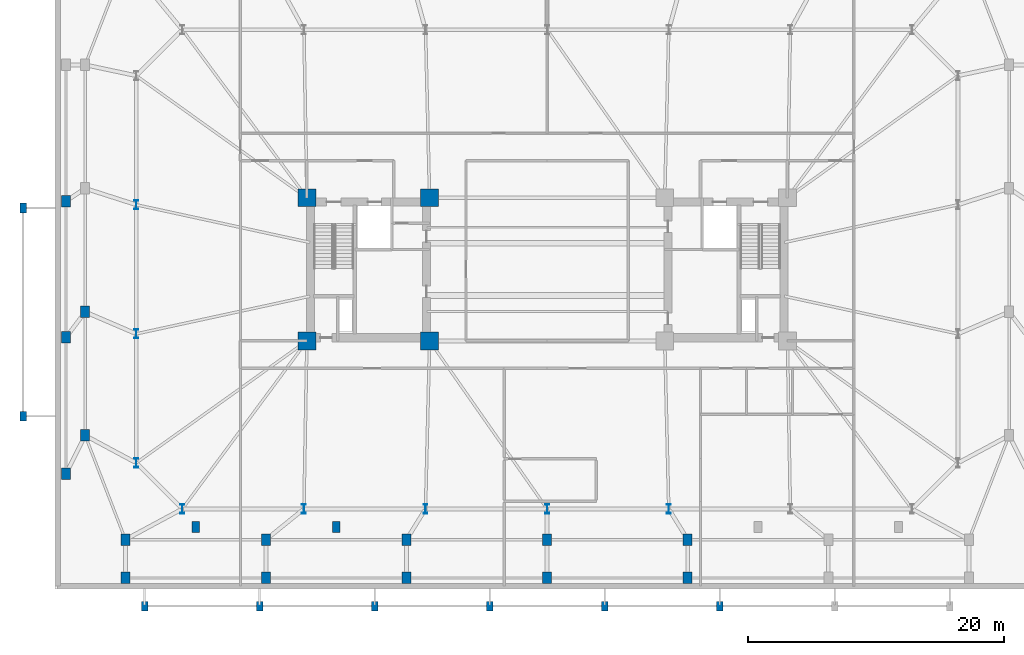
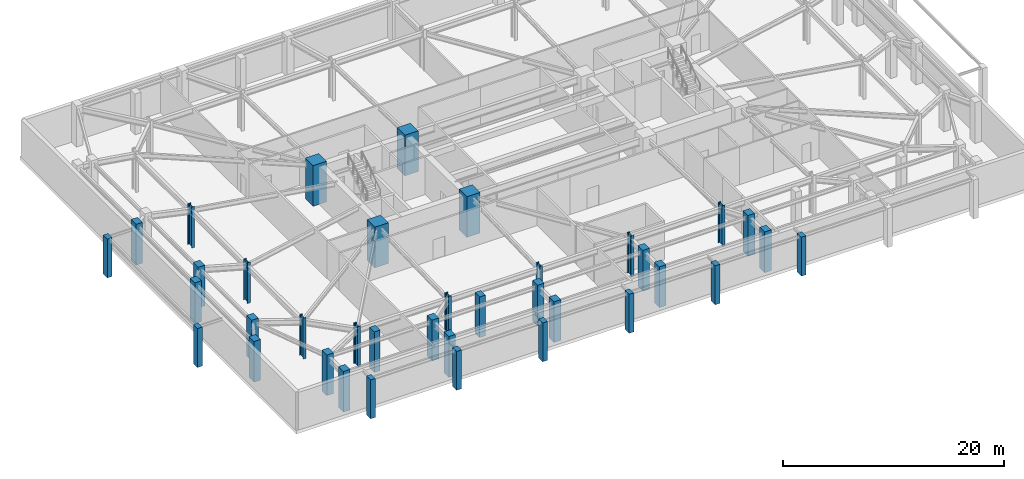
# One storey, part 1 of 14: 37 columns.
"""IFC4 building model written with IfcOpenShell, lengths in metres."""

from ifc_helpers import new_model, si_unit, direction, frame, origin, origin_2d, place, context, subcontext, project, spatial, rectangle, i_section, extrude, material, material_profile, profile_set, type_object, element, save


model = new_model("IFC4")

# Units and contexts
model_context = context("Model", 3, precision=1e-05, world=origin(), true_north=direction((0.0, 1.0)))
body_context = subcontext(model_context, "Body", "Model", "MODEL_VIEW")
ifc_project = project(units=[si_unit("LENGTHUNIT", "METRE"), si_unit("AREAUNIT", "SQUARE_METRE"), si_unit("VOLUMEUNIT", "CUBIC_METRE"), si_unit("PLANEANGLEUNIT", "RADIAN"), si_unit("MASSUNIT", "GRAM", prefix="KILO")], contexts=[model_context])

# Site, building, storey
site_placement = place(None, origin())
site = spatial("IfcSite", under=ifc_project, at=site_placement, CompositionType="ELEMENT")
building_placement = place(site_placement, origin())
building = spatial("IfcBuilding", under=site, at=building_placement, Name="Qobustan Lattice House", CompositionType="ELEMENT")
storey_placement = place(building_placement, frame((0.0, 0.0, -4.5)))
storey = spatial("IfcBuildingStorey", under=building, at=storey_placement, Name="B01", CompositionType="ELEMENT", Elevation=-4.5)

# Columns
ifc_material_1 = material(Name="Concrete C50/60", Category="concrete")
ifc_material_profile_1 = material_profile(ifc_material_1, rectangle(XDim=0.5, YDim=0.75, at=origin_2d()), Name="RC500x750")
ifc_profile_set_1 = profile_set([ifc_material_profile_1], Name="Concrete C50/60")
column_type_1 = type_object("IfcColumnType", Name="COL-PIER-500x750", PredefinedType="USERDEFINED", material=ifc_profile_set_1)
for number, where, z_axis, x_axis, name in (
    (1, (-41.0, -11.5, 0.0), (0.0, 0.0, 1.0), (1.0, 0.0, 0.0), "B01 arrival portico pier W1"),
    (2, (-41.0, 4.800048828125, 0.0), (0.0, 0.0, 1.0), (1.0, 0.0, 0.0), "B01 arrival portico pier W2"),
    (3, (-31.5, -26.35009765625, 0.0), (0.0, 0.0, 1.0), (1.0, 0.0, 0.0), "B01 entrance canopy pier PR-01"),
    (4, (-22.5, -26.35009765625, 0.0), (0.0, 0.0, 1.0), (1.0, 0.0, 0.0), "B01 entrance canopy pier PR-02"),
    (5, (-13.5, -26.35009765625, 0.0), (0.0, 0.0, 1.0), (1.0, 0.0, 0.0), "B01 entrance canopy pier PR-03"),
    (6, (-4.5, -26.35009765625, 0.0), (0.0, 0.0, 1.0), (1.0, 0.0, 0.0), "B01 entrance canopy pier PR-04"),
    (7, (4.5, -26.35009765625, 0.0), (0.0, 0.0, 1.0), (1.0, 0.0, 0.0), "B01 entrance canopy pier PR-05"),
    (8, (13.5, -26.35009765625, 0.0), (0.0, 0.0, 1.0), (1.0, 0.0, 0.0), "B01 entrance canopy pier PR-06"),
):
    element("IfcColumn", number, at=place(storey_placement, frame(where, z_axis=z_axis, x_axis=x_axis)), inside=storey, type_object=column_type_1, Name=name, ObjectType="PIER", PredefinedType="USERDEFINED", context=body_context, shape_type="SweptSolid", body=[
        extrude(rectangle(XDim=0.5, YDim=0.75, at=origin_2d()), origin(), (0.0, 0.0, 1.0), 4.300048828125),
    ])
ifc_material_2 = material(Name="Concrete C50/60", Category="concrete")
ifc_material_profile_2 = material_profile(ifc_material_2, rectangle(XDim=0.60009765625, YDim=0.85009765625, at=origin_2d()), Name="RC600x850")
ifc_profile_set_2 = profile_set([ifc_material_profile_2], Name="Concrete C50/60")
column_type_2 = type_object("IfcColumnType", Name="COL-PIL-600x850", PredefinedType="PILASTER", material=ifc_profile_set_2)
for number, where, z_axis, x_axis, name in (
    (9, (-27.5, -20.14990234375, 0.0), (0.0, 0.0, 1.0), (1.0, 0.0, 0.0), "B01 colonnade pilaster S1"),
    (10, (-16.5, -20.14990234375, 0.0), (0.0, 0.0, 1.0), (1.0, 0.0, 0.0), "B01 colonnade pilaster S2"),
):
    element("IfcColumn", number, at=place(storey_placement, frame(where, z_axis=z_axis, x_axis=x_axis)), inside=storey, type_object=column_type_2, Name=name, PredefinedType="PILASTER", context=body_context, shape_type="SweptSolid", body=[
        extrude(rectangle(XDim=0.60009765625, YDim=0.85009765625, at=origin_2d()), origin(), (0.0, 0.0, 1.0), 4.5),
    ])
ifc_material_3 = material(Name="Concrete C60/75", Category="concrete")
ifc_material_profile_3 = material_profile(ifc_material_3, rectangle(XDim=1.39990234375, YDim=1.39990234375, at=origin_2d()), Name="RC1400x1400")
ifc_profile_set_3 = profile_set([ifc_material_profile_3], Name="Concrete C60/75")
column_type_3 = type_object("IfcColumnType", Name="COL-RC-1400", PredefinedType="COLUMN", material=ifc_profile_set_3)
for number, where, z_axis, x_axis, name in (
    (11, (-18.800048828125, -5.60009765625, 0.0), (0.0, 0.0, 1.0), (1.0, 0.0, 0.0), "B01 core mega-column CW-SW"),
    (12, (-18.800048828125, 5.60009765625, 0.0), (0.0, 0.0, 1.0), (1.0, 0.0, 0.0), "B01 core mega-column CW-NW"),
    (13, (-9.199951171875, -5.60009765625, 0.0), (0.0, 0.0, 1.0), (1.0, 0.0, 0.0), "B01 core mega-column CW-SE"),
    (14, (-9.199951171875, 5.60009765625, 0.0), (0.0, 0.0, 1.0), (1.0, 0.0, 0.0), "B01 core mega-column CW-NE"),
):
    element("IfcColumn", number, at=place(storey_placement, frame(where, z_axis=z_axis, x_axis=x_axis)), inside=storey, type_object=column_type_3, Name=name, PredefinedType="COLUMN", context=body_context, shape_type="SweptSolid", body=[
        extrude(rectangle(XDim=1.39990234375, YDim=1.39990234375, at=origin_2d()), origin(), (0.0, 0.0, 1.0), 4.5),
    ])
ifc_material_4 = material(Name="Concrete C50/60", Category="concrete")
ifc_material_profile_4 = material_profile(ifc_material_4, rectangle(XDim=0.699951171875, YDim=0.89990234375, at=origin_2d()), Name="RC700x900")
ifc_profile_set_4 = profile_set([ifc_material_profile_4], Name="Concrete C50/60")
column_type_4 = type_object("IfcColumnType", Name="COL-RC-700x900", PredefinedType="COLUMN", material=ifc_profile_set_4)
for number, where, z_axis, x_axis, name in (
    (15, (-33.0, -21.14990234375, 0.0), (0.0, 0.0, 1.0), (1.0, 0.0, 0.0), "B01 podium column PS1"),
    (16, (-22.0, -21.14990234375, 0.0), (0.0, 0.0, 1.0), (1.0, 0.0, 0.0), "B01 podium column PS2"),
    (17, (-11.0, -21.14990234375, 0.0), (0.0, 0.0, 1.0), (1.0, 0.0, 0.0), "B01 podium column PS3"),
    (18, (0.0, -21.14990234375, 0.0), (0.0, 0.0, 1.0), (1.0, 0.0, 0.0), "B01 podium column PS4"),
    (19, (11.0, -21.14990234375, 0.0), (0.0, 0.0, 1.0), (1.0, 0.0, 0.0), "B01 podium column PS5"),
    (20, (-36.14990234375, -13.0, 0.0), (0.0, 0.0, 1.0), (1.0, 0.0, 0.0), "B01 podium column PW1"),
    (21, (-36.14990234375, -3.333251953125, 0.0), (0.0, 0.0, 1.0), (1.0, 0.0, 0.0), "B01 podium column PW2"),
    (22, (-33.0, -24.14990234375, 0.0), (0.0, 0.0, 1.0), (1.0, 0.0, 0.0), "B01 lower podium perimeter column PSL1"),
    (23, (-22.0, -24.14990234375, 0.0), (0.0, 0.0, 1.0), (1.0, 0.0, 0.0), "B01 lower podium perimeter column PSL2"),
    (24, (-11.0, -24.14990234375, 0.0), (0.0, 0.0, 1.0), (1.0, 0.0, 0.0), "B01 lower podium perimeter column PSL3"),
    (25, (0.0, -24.14990234375, 0.0), (0.0, 0.0, 1.0), (1.0, 0.0, 0.0), "B01 lower podium perimeter column PSL4"),
    (26, (11.0, -24.14990234375, 0.0), (0.0, 0.0, 1.0), (1.0, 0.0, 0.0), "B01 lower podium perimeter column PSL5"),
    (27, (-37.64990234375, -16.0, 0.0), (0.0, 0.0, 1.0), (1.0, 0.0, 0.0), "B01 lower podium perimeter column PWL1"),
    (28, (-37.64990234375, -5.333251953125, 0.0), (0.0, 0.0, 1.0), (1.0, 0.0, 0.0), "B01 lower podium perimeter column PWL2"),
    (29, (-37.64990234375, 5.33349609375, 0.0), (0.0, 0.0, 1.0), (1.0, 0.0, 0.0), "B01 lower podium perimeter column PWL3"),
):
    element("IfcColumn", number, at=place(storey_placement, frame(where, z_axis=z_axis, x_axis=x_axis)), inside=storey, type_object=column_type_4, Name=name, PredefinedType="COLUMN", context=body_context, shape_type="SweptSolid", body=[
        extrude(rectangle(XDim=0.699951171875, YDim=0.89990234375, at=origin_2d()), origin(), (0.0, 0.0, 1.0), 4.5),
    ])
ifc_material_5 = material(Name="Steel S460", Category="steel")
ifc_material_profile_5 = material_profile(ifc_material_5, i_section(OverallWidth=0.303955078125, OverallDepth=0.716064453125, WebThickness=0.02099609375, FlangeThickness=0.0400390625, FilletRadius=0.027099609375, at=origin_2d()), Name="HEM700")
ifc_profile_set_5 = profile_set([ifc_material_profile_5], Name="Steel S460")
column_type_5 = type_object("IfcColumnType", Name="COL-ST-HEM700", PredefinedType="COLUMN", material=ifc_profile_set_5)
for number, where, z_axis, x_axis, name in (
    (30, (-28.550048828125, -18.75, 0.0), (0.0, 0.0, 1.0), (1.0, 0.0, 0.0), "B01 tower base column S1"),
    (31, (-19.033203125, -18.75, 0.0), (0.0, 0.0, 1.0), (1.0, 0.0, 0.0), "B01 tower base column S2"),
    (32, (-9.5166015625, -18.75, 0.0), (0.0, 0.0, 1.0), (1.0, 0.0, 0.0), "B01 tower base column S3"),
    (33, (0.0, -18.75, 0.0), (0.0, 0.0, 1.0), (1.0, 0.0, 0.0), "B01 tower base column S4"),
    (34, (9.5166015625, -18.75, 0.0), (0.0, 0.0, 1.0), (1.0, 0.0, 0.0), "B01 tower base column S5"),
    (35, (-32.14990234375, 5.050048828125, 0.0), (0.0, 0.0, 1.0), (1.0, 0.0, 0.0), "B01 tower base column W2"),
    (36, (-32.14990234375, -5.050048828125, 0.0), (0.0, 0.0, 1.0), (1.0, 0.0, 0.0), "B01 tower base column W3"),
    (37, (-32.14990234375, -15.14990234375, 0.0), (0.0, 0.0, 1.0), (1.0, 0.0, 0.0), "B01 tower base column W4"),
):
    element("IfcColumn", number, at=place(storey_placement, frame(where, z_axis=z_axis, x_axis=x_axis)), inside=storey, type_object=column_type_5, Name=name, PredefinedType="COLUMN", context=body_context, shape_type="SweptSolid", body=[
        extrude(i_section(OverallWidth=0.303955078125, OverallDepth=0.716064453125, WebThickness=0.02099609375, FlangeThickness=0.0400390625, FilletRadius=0.027099609375, at=origin_2d()), origin(), (0.0, 0.0, 1.0), 4.5),
    ])

save(model, "model.ifc")
